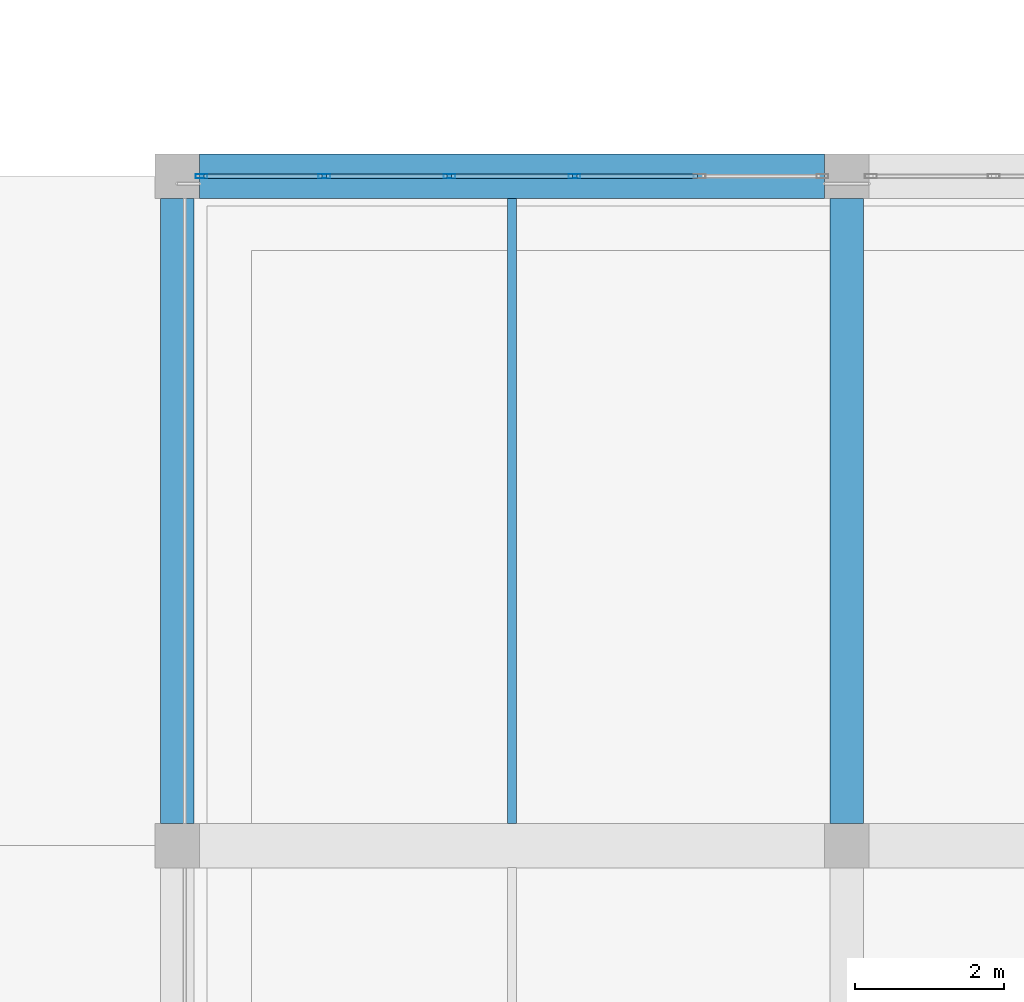
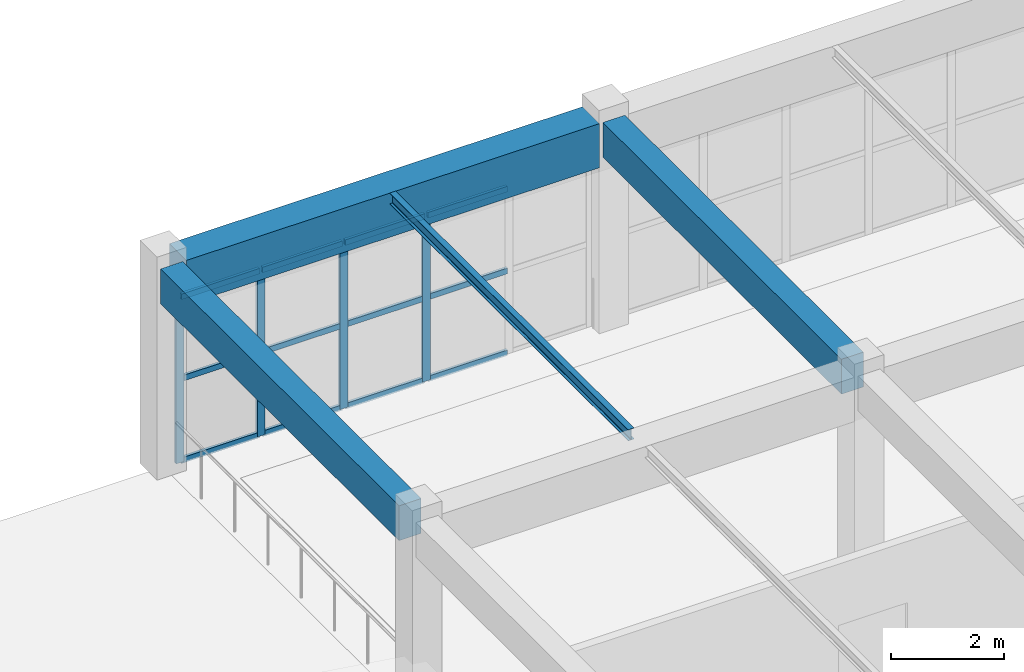
# One storey, part 31 of 89: 16 members, 4 beams, 1 element without a shape of its own.
"""IFC4 building model written with IfcOpenShell, lengths in metres."""

from ifc_helpers import new_model, si_unit, direction, frame, origin, origin_2d, place, context, subcontext, project, spatial, rectangle, hollow_rectangle, i_section, extrude, material, layer, layer_set, material_profile, profile_set, type_object, element, aggregate, save


model = new_model("IFC4")

# Units and contexts
model_context = context("Model", 3, precision=1e-05, world=origin(), true_north=direction((0.0, 1.0)))
body_context = subcontext(model_context, "Body", "Model", "MODEL_VIEW")
ifc_project = project(units=[si_unit("LENGTHUNIT", "METRE"), si_unit("AREAUNIT", "SQUARE_METRE"), si_unit("VOLUMEUNIT", "CUBIC_METRE"), si_unit("PLANEANGLEUNIT", "RADIAN"), si_unit("MASSUNIT", "GRAM", prefix="KILO")], contexts=[model_context])

# Site, building, storey
site_placement = place(None, origin())
site = spatial("IfcSite", under=ifc_project, at=site_placement, CompositionType="ELEMENT")
building_placement = place(site_placement, origin())
building = spatial("IfcBuilding", under=site, at=building_placement, Name="Dornveld Trade and Exhibition Forum", CompositionType="ELEMENT")
storey_placement = place(building_placement, frame((0.0, 0.0, 12.0)))
storey = spatial("IfcBuildingStorey", under=building, at=storey_placement, Name="L02", CompositionType="ELEMENT", Elevation=12.0)

# Beams
ifc_material_1 = material(Name="Steel S355J2", Category="steel")
ifc_material_profile_1 = material_profile(ifc_material_1, i_section(OverallWidth=0.1201171875, OverallDepth=0.239990234375, WebThickness=0.006103515625, FlangeThickness=0.009765625, FilletRadius=0.014892578125, at=origin_2d()), Name="IPE 240")
ifc_profile_set_1 = profile_set([ifc_material_profile_1], Name="Steel S355J2")
beam_type_1 = type_object("IfcBeamType", Name="BM-JOIST-240", PredefinedType="JOIST", material=ifc_profile_set_1)
beam_1_placement = place(storey_placement, frame((202.5, 45.297119140625, 4.39990234375), z_axis=(0.0, 1.0, 0.0), x_axis=(-1.0, 0.0, 0.0)))
element("IfcBeam", 1, at=beam_1_placement, inside=storey, type_object=beam_type_1, Name="L02 secondary joist 1581", PredefinedType="JOIST", context=body_context, shape_type="SweptSolid", body=[
    extrude(i_section(OverallWidth=0.1201171875, OverallDepth=0.239990234375, WebThickness=0.006103515625, FlangeThickness=0.009765625, FilletRadius=0.014892578125, at=origin_2d()), origin(), (0.0, 0.0, 1.0), 8.40576171875),
])
ifc_material_2 = material(Name="Precast concrete C50/60", Category="concrete")
ifc_material_profile_2 = material_profile(ifc_material_2, rectangle(XDim=0.449951171875, YDim=0.75, at=origin_2d()), Name="PC-BM 450x750")
ifc_profile_set_2 = profile_set([ifc_material_profile_2], Name="Precast concrete C50/60")
beam_type_2 = type_object("IfcBeamType", Name="BM-PC-450x750", PredefinedType="BEAM", material=ifc_profile_set_2)
for number, where, z_axis, x_axis, name in (
    (2, (198.0, 45.2958984375, 4.14501953125), (0.0, 1.0, 0.0), (-1.0, 0.0, 0.0), "L02 Y-girder 1563"),
    (3, (207.0, 45.2958984375, 4.14501953125), (0.0, 1.0, 0.0), (-1.0, 0.0, 0.0), "L02 Y-girder 1569"),
):
    element("IfcBeam", number, at=place(storey_placement, frame(where, z_axis=z_axis, x_axis=x_axis)), inside=storey, type_object=beam_type_2, Name=name, PredefinedType="BEAM", context=body_context, shape_type="SweptSolid", body=[
        extrude(rectangle(XDim=0.449951171875, YDim=0.75, at=origin_2d()), origin(), (0.0, 0.0, 1.0), 8.408203125),
    ])
ifc_material_3 = material(Name="Precast concrete C50/60", Category="concrete")
ifc_material_profile_3 = material_profile(ifc_material_3, rectangle(XDim=0.60009765625, YDim=0.949951171875, at=origin_2d()), Name="PC-GIR 600x950")
ifc_profile_set_3 = profile_set([ifc_material_profile_3], Name="Precast concrete C50/60")
beam_type_3 = type_object("IfcBeamType", Name="BM-PC-600x950", PredefinedType="T_BEAM", material=ifc_profile_set_3)
beam_2_placement = place(storey_placement, frame((198.2958984375, 54.0, 4.044921875), z_axis=(1.0, 0.0, 0.0), x_axis=(0.0, 1.0, 0.0)))
element("IfcBeam", 4, at=beam_2_placement, inside=storey, type_object=beam_type_3, Name="L02 X-girder 1556", PredefinedType="T_BEAM", context=body_context, shape_type="SweptSolid", body=[
    extrude(rectangle(XDim=0.60009765625, YDim=0.949951171875, at=origin_2d()), origin(), (0.0, 0.0, 1.0), 8.408203125),
])

# Curtain wall, members
ifc_material_4 = material(Name="Dark-bronze anodised aluminium and low-E glass", Category="aluminium")
ifc_layer = layer(ifc_material_4, 0.14501953125)
ifc_layer_set = layer_set([ifc_layer], Name="Dark-bronze anodised aluminium and low-E glass")
curtain_wall_type = type_object("IfcCurtainWallType", Name="CW-SYS-01", PredefinedType="USERDEFINED", material=ifc_layer_set)
curtain_wall_placement = place(storey_placement, origin())
curtain_wall = element("IfcCurtainWall", 5, at=curtain_wall_placement, inside=storey, type_object=curtain_wall_type, Name="L02 unitised curtain wall 91", ObjectType="UNITISED_CURTAIN_WALL", PredefinedType="USERDEFINED")
ifc_material_5 = material(Name="Dark-bronze anodised aluminium", Category="aluminium")
ifc_material_profile_4 = material_profile(ifc_material_5, hollow_rectangle(XDim=0.06005859375, YDim=0.159912109375, WallThickness=0.00390625, at=origin_2d()), Name="RHS 160x60x4")
ifc_profile_set_4 = profile_set([ifc_material_profile_4], Name="Dark-bronze anodised aluminium")
member_type_1 = type_object("IfcMemberType", Name="CW-MUL-160", PredefinedType="MULLION", material=ifc_profile_set_4)
member_1_placement = place(storey_placement, frame((203.3408203125, 54.0, -0.00390625), z_axis=(0.0, 0.0, 1.0), x_axis=(0.0, -1.0, 0.0)))
member_1 = element("IfcMember", 6, at=member_1_placement, type_object=member_type_1, Name="CW-01 mullion 3", PredefinedType="MULLION", context=body_context, shape_type="SweptSolid", body=[
    extrude(hollow_rectangle(XDim=0.06005859375, YDim=0.159912109375, WallThickness=0.00390625, at=origin_2d()), origin(), (0.0, 0.0, 1.0), 3.583984375),
])
member_2_placement = place(storey_placement, frame((201.6591796875, 54.0, -0.00390625), z_axis=(0.0, 0.0, 1.0), x_axis=(0.0, -1.0, 0.0)))
member_2 = element("IfcMember", 7, at=member_2_placement, type_object=member_type_1, Name="CW-01 mullion 4", PredefinedType="MULLION", context=body_context, shape_type="SweptSolid", body=[
    extrude(hollow_rectangle(XDim=0.06005859375, YDim=0.159912109375, WallThickness=0.00390625, at=origin_2d()), origin(), (0.0, 0.0, 1.0), 3.583984375),
])
member_3_placement = place(storey_placement, frame((199.9775390625, 54.0, -0.00390625), z_axis=(0.0, 0.0, 1.0), x_axis=(0.0, -1.0, 0.0)))
member_3 = element("IfcMember", 8, at=member_3_placement, type_object=member_type_1, Name="CW-01 mullion 5", PredefinedType="MULLION", context=body_context, shape_type="SweptSolid", body=[
    extrude(hollow_rectangle(XDim=0.06005859375, YDim=0.159912109375, WallThickness=0.00390625, at=origin_2d()), origin(), (0.0, 0.0, 1.0), 3.583984375),
])
member_4_placement = place(storey_placement, frame((198.325927734375, 54.0, -0.00390625), z_axis=(0.0, 0.0, 1.0), x_axis=(0.0, -1.0, 0.0)))
member_4 = element("IfcMember", 9, at=member_4_placement, type_object=member_type_1, Name="CW-01 mullion 6", PredefinedType="MULLION", context=body_context, shape_type="SweptSolid", body=[
    extrude(hollow_rectangle(XDim=0.06005859375, YDim=0.159912109375, WallThickness=0.00390625, at=origin_2d()), origin(), (0.0, 0.0, 1.0), 3.583984375),
])
ifc_material_6 = material(Name="Dark-bronze anodised aluminium", Category="aluminium")
ifc_material_profile_5 = material_profile(ifc_material_6, hollow_rectangle(XDim=0.06005859375, YDim=0.1201171875, WallThickness=0.00390625, at=origin_2d()), Name="RHS 120x60x4")
ifc_profile_set_5 = profile_set([ifc_material_profile_5], Name="Dark-bronze anodised aluminium")
member_type_2 = type_object("IfcMemberType", Name="CW-TRN-120", PredefinedType="USERDEFINED", material=ifc_profile_set_5)
member_5_placement = place(storey_placement, frame((204.992431640625, 54.0, 0.02587890625), z_axis=(-1.0, 0.0, 0.0), x_axis=(0.0, -1.0, 0.0)))
member_5 = element("IfcMember", 10, at=member_5_placement, type_object=member_type_2, Name="CW-01 transom 2.1", ObjectType="TRANSOM", PredefinedType="USERDEFINED", context=body_context, shape_type="SweptSolid", body=[
    extrude(hollow_rectangle(XDim=0.06005859375, YDim=0.1201171875, WallThickness=0.00390625, at=origin_2d()), origin(), (0.0, 0.0, 1.0), 1.62158203125),
])
member_6_placement = place(storey_placement, frame((204.992431640625, 54.0, 1.7880859375), z_axis=(-1.0, 0.0, 0.0), x_axis=(0.0, -1.0, 0.0)))
member_6 = element("IfcMember", 11, at=member_6_placement, type_object=member_type_2, Name="CW-01 transom 2.2", ObjectType="TRANSOM", PredefinedType="USERDEFINED", context=body_context, shape_type="SweptSolid", body=[
    extrude(hollow_rectangle(XDim=0.06005859375, YDim=0.1201171875, WallThickness=0.00390625, at=origin_2d()), origin(), (0.0, 0.0, 1.0), 1.62158203125),
])
member_7_placement = place(storey_placement, frame((204.992431640625, 54.0, 3.550048828125), z_axis=(-1.0, 0.0, 0.0), x_axis=(0.0, -1.0, 0.0)))
member_7 = element("IfcMember", 12, at=member_7_placement, type_object=member_type_2, Name="CW-01 transom 2.3", ObjectType="TRANSOM", PredefinedType="USERDEFINED", context=body_context, shape_type="SweptSolid", body=[
    extrude(hollow_rectangle(XDim=0.06005859375, YDim=0.1201171875, WallThickness=0.00390625, at=origin_2d()), origin(), (0.0, 0.0, 1.0), 1.62158203125),
])
member_8_placement = place(storey_placement, frame((203.310791015625, 54.0, 0.02587890625), z_axis=(-1.0, 0.0, 0.0), x_axis=(0.0, -1.0, 0.0)))
member_8 = element("IfcMember", 13, at=member_8_placement, type_object=member_type_2, Name="CW-01 transom 3.1", ObjectType="TRANSOM", PredefinedType="USERDEFINED", context=body_context, shape_type="SweptSolid", body=[
    extrude(hollow_rectangle(XDim=0.06005859375, YDim=0.1201171875, WallThickness=0.00390625, at=origin_2d()), origin(), (0.0, 0.0, 1.0), 1.62158203125),
])
member_9_placement = place(storey_placement, frame((203.310791015625, 54.0, 1.7880859375), z_axis=(-1.0, 0.0, 0.0), x_axis=(0.0, -1.0, 0.0)))
member_9 = element("IfcMember", 14, at=member_9_placement, type_object=member_type_2, Name="CW-01 transom 3.2", ObjectType="TRANSOM", PredefinedType="USERDEFINED", context=body_context, shape_type="SweptSolid", body=[
    extrude(hollow_rectangle(XDim=0.06005859375, YDim=0.1201171875, WallThickness=0.00390625, at=origin_2d()), origin(), (0.0, 0.0, 1.0), 1.62158203125),
])
member_10_placement = place(storey_placement, frame((203.310791015625, 54.0, 3.550048828125), z_axis=(-1.0, 0.0, 0.0), x_axis=(0.0, -1.0, 0.0)))
member_10 = element("IfcMember", 15, at=member_10_placement, type_object=member_type_2, Name="CW-01 transom 3.3", ObjectType="TRANSOM", PredefinedType="USERDEFINED", context=body_context, shape_type="SweptSolid", body=[
    extrude(hollow_rectangle(XDim=0.06005859375, YDim=0.1201171875, WallThickness=0.00390625, at=origin_2d()), origin(), (0.0, 0.0, 1.0), 1.62158203125),
])
member_11_placement = place(storey_placement, frame((201.629150390625, 54.0, 0.02587890625), z_axis=(-1.0, 0.0, 0.0), x_axis=(0.0, -1.0, 0.0)))
member_11 = element("IfcMember", 16, at=member_11_placement, type_object=member_type_2, Name="CW-01 transom 4.1", ObjectType="TRANSOM", PredefinedType="USERDEFINED", context=body_context, shape_type="SweptSolid", body=[
    extrude(hollow_rectangle(XDim=0.06005859375, YDim=0.1201171875, WallThickness=0.00390625, at=origin_2d()), origin(), (0.0, 0.0, 1.0), 1.62158203125),
])
member_12_placement = place(storey_placement, frame((201.629150390625, 54.0, 1.7880859375), z_axis=(-1.0, 0.0, 0.0), x_axis=(0.0, -1.0, 0.0)))
member_12 = element("IfcMember", 17, at=member_12_placement, type_object=member_type_2, Name="CW-01 transom 4.2", ObjectType="TRANSOM", PredefinedType="USERDEFINED", context=body_context, shape_type="SweptSolid", body=[
    extrude(hollow_rectangle(XDim=0.06005859375, YDim=0.1201171875, WallThickness=0.00390625, at=origin_2d()), origin(), (0.0, 0.0, 1.0), 1.62158203125),
])
member_13_placement = place(storey_placement, frame((201.629150390625, 54.0, 3.550048828125), z_axis=(-1.0, 0.0, 0.0), x_axis=(0.0, -1.0, 0.0)))
member_13 = element("IfcMember", 18, at=member_13_placement, type_object=member_type_2, Name="CW-01 transom 4.3", ObjectType="TRANSOM", PredefinedType="USERDEFINED", context=body_context, shape_type="SweptSolid", body=[
    extrude(hollow_rectangle(XDim=0.06005859375, YDim=0.1201171875, WallThickness=0.00390625, at=origin_2d()), origin(), (0.0, 0.0, 1.0), 1.62158203125),
])
member_14_placement = place(storey_placement, frame((199.947509765625, 54.0, 0.02587890625), z_axis=(-1.0, 0.0, 0.0), x_axis=(0.0, -1.0, 0.0)))
member_14 = element("IfcMember", 19, at=member_14_placement, type_object=member_type_2, Name="CW-01 transom 5.1", ObjectType="TRANSOM", PredefinedType="USERDEFINED", context=body_context, shape_type="SweptSolid", body=[
    extrude(hollow_rectangle(XDim=0.06005859375, YDim=0.1201171875, WallThickness=0.00390625, at=origin_2d()), origin(), (0.0, 0.0, 1.0), 1.591552734375),
])
member_15_placement = place(storey_placement, frame((199.947509765625, 54.0, 1.7880859375), z_axis=(-1.0, 0.0, 0.0), x_axis=(0.0, -1.0, 0.0)))
member_15 = element("IfcMember", 20, at=member_15_placement, type_object=member_type_2, Name="CW-01 transom 5.2", ObjectType="TRANSOM", PredefinedType="USERDEFINED", context=body_context, shape_type="SweptSolid", body=[
    extrude(hollow_rectangle(XDim=0.06005859375, YDim=0.1201171875, WallThickness=0.00390625, at=origin_2d()), origin(), (0.0, 0.0, 1.0), 1.591552734375),
])
member_16_placement = place(storey_placement, frame((199.947509765625, 54.0, 3.550048828125), z_axis=(-1.0, 0.0, 0.0), x_axis=(0.0, -1.0, 0.0)))
member_16 = element("IfcMember", 21, at=member_16_placement, type_object=member_type_2, Name="CW-01 transom 5.3", ObjectType="TRANSOM", PredefinedType="USERDEFINED", context=body_context, shape_type="SweptSolid", body=[
    extrude(hollow_rectangle(XDim=0.06005859375, YDim=0.1201171875, WallThickness=0.00390625, at=origin_2d()), origin(), (0.0, 0.0, 1.0), 1.591552734375),
])
aggregate(curtain_wall, [member_1, member_2, member_3, member_4, member_5, member_6, member_7, member_8, member_9, member_10, member_11, member_12, member_13, member_14, member_15, member_16])

save(model, "model.ifc")
